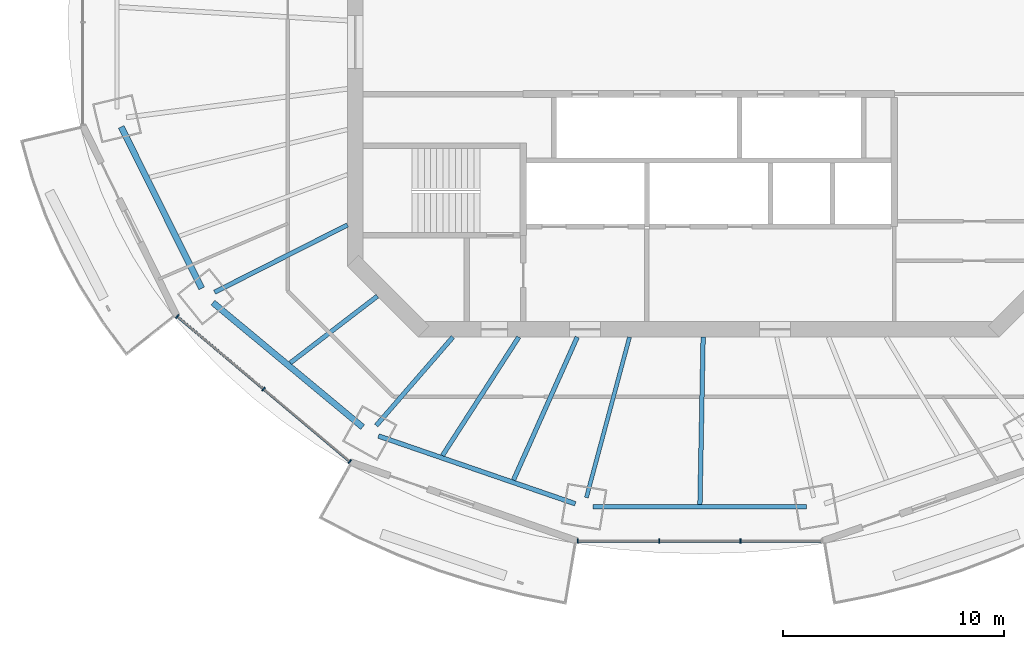
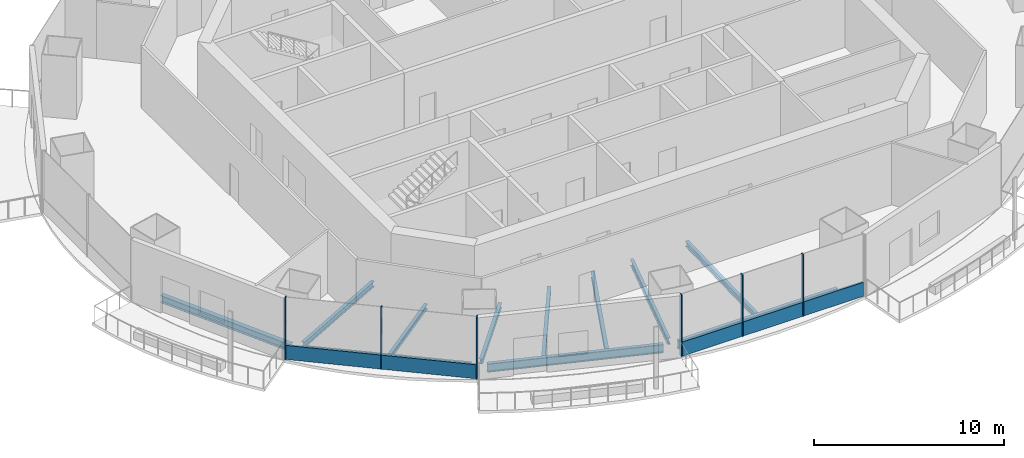
# One storey, part 2 of 16: 11 beams, 8 members, 2 elements without a shape of their own.
"""IFC4 building model written with IfcOpenShell, lengths in metres."""

from ifc_helpers import new_model, si_unit, direction, frame, origin, origin_2d, place, context, subcontext, project, spatial, rectangle, i_section, extrude, material, material_profile, profile_set, type_object, element, aggregate, save


model = new_model("IFC4")

# Units and contexts
model_context = context("Model", 3, precision=1e-05, world=origin(), true_north=direction((0.0, 1.0)))
body_context = subcontext(model_context, "Body", "Model", "MODEL_VIEW")
ifc_project = project(units=[si_unit("LENGTHUNIT", "METRE"), si_unit("AREAUNIT", "SQUARE_METRE"), si_unit("VOLUMEUNIT", "CUBIC_METRE"), si_unit("PLANEANGLEUNIT", "RADIAN"), si_unit("MASSUNIT", "GRAM", prefix="KILO")], contexts=[model_context])

# Site, building, storey
site_placement = place(None, origin())
site = spatial("IfcSite", under=ifc_project, at=site_placement, CompositionType="ELEMENT")
building_placement = place(site_placement, origin())
building = spatial("IfcBuilding", under=site, at=building_placement, Name="Marenthal Gate Tower", CompositionType="ELEMENT")
storey_placement = place(building_placement, frame((0.0, 0.0, 301.10009765625)))
storey = spatial("IfcBuildingStorey", under=building, at=storey_placement, Name="L67", CompositionType="ELEMENT", Elevation=301.10009765625)

# Curtain wall, members
ifc_material_1 = material(Name="Aluminium and glass", Category="aluminium")
curtain_wall_type = type_object("IfcCurtainWallType", Name="Curtain wall typical high", PredefinedType="NOTDEFINED", material=ifc_material_1)
curtain_wall_1_placement = place(storey_placement, origin())
curtain_wall_1 = element("IfcCurtainWall", 1, at=curtain_wall_1_placement, inside=storey, type_object=curtain_wall_type, Name="Curtain wall L67 bay 10", PredefinedType="NOTDEFINED")
ifc_material_2 = material(Name="Aluminium", Category="aluminium")
ifc_material_profile_1 = material_profile(ifc_material_2, rectangle(XDim=0.199951171875, YDim=0.06005859375, at=origin_2d()), Name="60x200 aluminium mullion")
ifc_profile_set_1 = profile_set([ifc_material_profile_1], Name="Aluminium")
member_type_1 = type_object("IfcMemberType", Name="Mullion 60x200 typical high", PredefinedType="MULLION", material=ifc_profile_set_1)
member_1_placement = place(storey_placement, frame((-24.053955078125, -12.41845703125, 0.0), z_axis=(0.0, 0.0, 1.0), x_axis=(0.643479945432, 0.765462970905, 0.0)))
member_1 = element("IfcMember", 2, at=member_1_placement, type_object=member_type_1, Name="Mullion L67 bay 10.1", PredefinedType="MULLION", context=body_context, shape_type="SweptSolid", body=[
    extrude(rectangle(XDim=0.199951171875, YDim=0.06005859375, at=origin_2d()), origin(), (0.0, 0.0, 1.0), 3.969970703125),
])
member_2_placement = place(storey_placement, frame((-20.148681640625, -15.701416015625, 0.0), z_axis=(0.0, 0.0, 1.0), x_axis=(0.643479945432, 0.765462970905, 0.0)))
member_2 = element("IfcMember", 3, at=member_2_placement, type_object=member_type_1, Name="Mullion L67 bay 10.2", PredefinedType="MULLION", context=body_context, shape_type="SweptSolid", body=[
    extrude(rectangle(XDim=0.199951171875, YDim=0.06005859375, at=origin_2d()), origin(), (0.0, 0.0, 1.0), 3.969970703125),
])
member_3_placement = place(storey_placement, frame((-16.243408203125, -18.984375, 0.0), z_axis=(0.0, 0.0, 1.0), x_axis=(0.643479945432, 0.765462970905, 0.0)))
member_3 = element("IfcMember", 4, at=member_3_placement, type_object=member_type_1, Name="Mullion L67 bay 10.3", PredefinedType="MULLION", context=body_context, shape_type="SweptSolid", body=[
    extrude(rectangle(XDim=0.199951171875, YDim=0.06005859375, at=origin_2d()), origin(), (0.0, 0.0, 1.0), 3.969970703125),
])

curtain_wall_2_placement = place(storey_placement, origin())
curtain_wall_2 = element("IfcCurtainWall", 5, at=curtain_wall_2_placement, inside=storey, type_object=curtain_wall_type, Name="Curtain wall L67 bay 12", PredefinedType="NOTDEFINED")
member_4_placement = place(storey_placement, frame((-5.92529296875, -22.577880859375, 0.0), z_axis=(0.0, 0.0, 1.0), x_axis=(0.0, 1.0, 0.0)))
member_4 = element("IfcMember", 6, at=member_4_placement, type_object=member_type_1, Name="Mullion L67 bay 12.1", PredefinedType="MULLION", context=body_context, shape_type="SweptSolid", body=[
    extrude(rectangle(XDim=0.199951171875, YDim=0.06005859375, at=origin_2d()), origin(), (0.0, 0.0, 1.0), 3.969970703125),
])
member_5_placement = place(storey_placement, frame((-2.24169921875, -22.577880859375, 0.0), z_axis=(0.0, 0.0, 1.0), x_axis=(0.0, 1.0, 0.0)))
member_5 = element("IfcMember", 7, at=member_5_placement, type_object=member_type_1, Name="Mullion L67 bay 12.2", PredefinedType="MULLION", context=body_context, shape_type="SweptSolid", body=[
    extrude(rectangle(XDim=0.199951171875, YDim=0.06005859375, at=origin_2d()), origin(), (0.0, 0.0, 1.0), 3.969970703125),
])
member_6_placement = place(storey_placement, frame((1.44189453125, -22.577880859375, 0.0), z_axis=(0.0, 0.0, 1.0), x_axis=(0.0, 1.0, 0.0)))
member_6 = element("IfcMember", 8, at=member_6_placement, type_object=member_type_1, Name="Mullion L67 bay 12.3", PredefinedType="MULLION", context=body_context, shape_type="SweptSolid", body=[
    extrude(rectangle(XDim=0.199951171875, YDim=0.06005859375, at=origin_2d()), origin(), (0.0, 0.0, 1.0), 3.969970703125),
])

# Member
ifc_material_3 = material(Name="Aluminium", Category="aluminium")
ifc_material_profile_2 = material_profile(ifc_material_3, rectangle(XDim=0.1201171875, YDim=0.89990234375, at=origin_2d()), Name="120x900 aluminium transom")
ifc_profile_set_2 = profile_set([ifc_material_profile_2], Name="Aluminium")
member_type_2 = type_object("IfcMemberType", Name="Transom 120x900 typical high", PredefinedType="USERDEFINED", material=ifc_profile_set_2)
member_7_placement = place(storey_placement, frame((-24.031005859375, -12.437744140625, 0.449951171875), z_axis=(0.765460155219, -0.643483294866, 0.0), x_axis=(0.643483294866, 0.765460155219, 0.0)))
member_7 = element("IfcMember", 9, at=member_7_placement, type_object=member_type_2, Name="Transom L67 bay 10", ObjectType="TRANSOM", PredefinedType="USERDEFINED", context=body_context, shape_type="SweptSolid", body=[
    extrude(rectangle(XDim=0.1201171875, YDim=0.89990234375, at=origin_2d()), origin(), (0.0, 0.0, 1.0), 10.143798828125),
])

aggregate(curtain_wall_1, [member_1, member_2, member_3, member_7])

member_8_placement = place(storey_placement, frame((-5.8955078125, -22.577880859375, 0.449951171875), z_axis=(1.0, 0.0, 0.0), x_axis=(0.0, 1.0, 0.0)))
member_8 = element("IfcMember", 10, at=member_8_placement, type_object=member_type_2, Name="Transom L67 bay 12", ObjectType="TRANSOM", PredefinedType="USERDEFINED", context=body_context, shape_type="SweptSolid", body=[
    extrude(rectangle(XDim=0.1201171875, YDim=0.89990234375, at=origin_2d()), origin(), (0.0, 0.0, 1.0), 10.990966796875),
])

aggregate(curtain_wall_2, [member_4, member_5, member_6, member_8])

# Beams
ifc_material_4 = material(Name="Steel S355", Category="steel")
ifc_material_profile_3 = material_profile(ifc_material_4, i_section(OverallWidth=0.202880859375, OverallDepth=0.302001953125, WebThickness=0.007568359375, FlangeThickness=0.01318359375, FilletRadius=0.0126953125, at=origin_2d()), Name="W310X60")
ifc_profile_set_3 = profile_set([ifc_material_profile_3], Name="Steel S355")
beam_type_1 = type_object("IfcBeamType", Name="W310X60 beam", PredefinedType="BEAM", material=ifc_profile_set_3)
beam_1_placement = place(storey_placement, frame((-18.939453125, -14.518798828125, -0.3310546875), z_axis=(0.793649875285, 0.608374782071, 0.0), x_axis=(-0.608374782071, 0.793649875285, 0.0)))
element("IfcBeam", 11, at=beam_1_placement, inside=storey, type_object=beam_type_1, Name="BM-L67-31", PredefinedType="BEAM", context=body_context, shape_type="SweptSolid", body=[
    extrude(i_section(OverallWidth=0.202880859375, OverallDepth=0.302001953125, WebThickness=0.007568359375, FlangeThickness=0.01318359375, FilletRadius=0.0126953125, at=origin_2d()), origin(), (0.0, 0.0, 1.0), 4.966552734375),
])
ifc_material_5 = material(Name="Steel S355", Category="steel")
ifc_material_profile_4 = material_profile(ifc_material_5, i_section(OverallWidth=0.205078125, OverallDepth=0.31005859375, WebThickness=0.009521484375, FlangeThickness=0.016357421875, FilletRadius=0.0126953125, at=origin_2d()), Name="W310X74")
ifc_profile_set_4 = profile_set([ifc_material_profile_4], Name="Steel S355")
beam_type_2 = type_object("IfcBeamType", Name="W310X74 beam", PredefinedType="BEAM", material=ifc_profile_set_4)
beam_2_placement = place(storey_placement, frame((-15.05078125, -17.353515625, -0.335205078125), z_axis=(0.655204107761, 0.75545190262, 0.0), x_axis=(-0.75545190262, 0.655204107761, 0.0)))
element("IfcBeam", 12, at=beam_2_placement, inside=storey, type_object=beam_type_2, Name="BM-L67-11", PredefinedType="BEAM", context=body_context, shape_type="SweptSolid", body=[
    extrude(i_section(OverallWidth=0.205078125, OverallDepth=0.31005859375, WebThickness=0.009521484375, FlangeThickness=0.016357421875, FilletRadius=0.0126953125, at=origin_2d()), origin(), (0.0, 0.0, 1.0), 5.29931640625),
])
beam_3_placement = place(storey_placement, frame((-12.0517578125, -18.711181640625, -0.335205078125), z_axis=(0.541502346344, 0.840699238077, 0.0), x_axis=(-0.840699238077, 0.541502346344, 0.0)))
element("IfcBeam", 13, at=beam_3_placement, inside=storey, type_object=beam_type_2, Name="BM-L67-32", PredefinedType="BEAM", context=body_context, shape_type="SweptSolid", body=[
    extrude(i_section(OverallWidth=0.205078125, OverallDepth=0.31005859375, WebThickness=0.009521484375, FlangeThickness=0.016357421875, FilletRadius=0.0126953125, at=origin_2d()), origin(), (0.0, 0.0, 1.0), 6.376953125),
])
ifc_material_6 = material(Name="Steel S355", Category="steel")
ifc_material_profile_5 = material_profile(ifc_material_6, i_section(OverallWidth=0.205078125, OverallDepth=0.35302734375, WebThickness=0.009521484375, FlangeThickness=0.016845703125, FilletRadius=0.014892578125, at=origin_2d()), Name="W360X79")
ifc_profile_set_5 = profile_set([ifc_material_profile_5], Name="Steel S355")
beam_type_3 = type_object("IfcBeamType", Name="W360X79 beam", PredefinedType="BEAM", material=ifc_profile_set_5)
beam_4_placement = place(storey_placement, frame((-22.36572265625, -11.3203125, -0.356689453125), z_axis=(0.892214783976, 0.451611314357, 0.0), x_axis=(-0.451611314357, 0.892214783976, 0.0)))
element("IfcBeam", 14, at=beam_4_placement, inside=storey, type_object=beam_type_3, Name="BM-L67-10", PredefinedType="BEAM", context=body_context, shape_type="SweptSolid", body=[
    extrude(i_section(OverallWidth=0.205078125, OverallDepth=0.35302734375, WebThickness=0.009521484375, FlangeThickness=0.016845703125, FilletRadius=0.014892578125, at=origin_2d()), origin(), (0.0, 0.0, 1.0), 6.742431640625),
])
beam_5_placement = place(storey_placement, frame((-8.835693359375, -19.818359375, -0.356689453125), z_axis=(0.407200115521, 0.91333896551, 0.0), x_axis=(-0.91333896551, 0.407200115521, 0.0)))
element("IfcBeam", 15, at=beam_5_placement, inside=storey, type_object=beam_type_3, Name="BM-L67-33", PredefinedType="BEAM", context=body_context, shape_type="SweptSolid", body=[
    extrude(i_section(OverallWidth=0.205078125, OverallDepth=0.35302734375, WebThickness=0.009521484375, FlangeThickness=0.016845703125, FilletRadius=0.014892578125, at=origin_2d()), origin(), (0.0, 0.0, 1.0), 7.08203125),
])
beam_6_placement = place(storey_placement, frame((-0.39794921875, -20.92236328125, -0.356689453125), z_axis=(0.019018999299, 0.999819122474, 0.0), x_axis=(-0.999819122474, 0.019018999299, 0.0)))
element("IfcBeam", 16, at=beam_6_placement, inside=storey, type_object=beam_type_3, Name="BM-L67-34", PredefinedType="BEAM", context=body_context, shape_type="SweptSolid", body=[
    extrude(i_section(OverallWidth=0.205078125, OverallDepth=0.35302734375, WebThickness=0.009521484375, FlangeThickness=0.016845703125, FilletRadius=0.014892578125, at=origin_2d()), origin(), (0.0, 0.0, 1.0), 7.57373046875),
])
ifc_material_7 = material(Name="Steel S355", Category="steel")
ifc_material_profile_6 = material_profile(ifc_material_7, i_section(OverallWidth=0.180908203125, OverallDepth=0.4169921875, WebThickness=0.010986328125, FlangeThickness=0.018310546875, FilletRadius=0.01025390625, at=origin_2d()), Name="W410X85")
ifc_profile_set_6 = profile_set([ifc_material_profile_6], Name="Steel S355")
beam_type_4 = type_object("IfcBeamType", Name="W410X85 beam", PredefinedType="BEAM", material=ifc_profile_set_6)
beam_7_placement = place(storey_placement, frame((-5.53564453125, -20.613525390625, -0.388671875), z_axis=(0.259341276108, 0.965785743582, 0.0), x_axis=(-0.965785743582, 0.259341276108, 0.0)))
element("IfcBeam", 17, at=beam_7_placement, inside=storey, type_object=beam_type_4, Name="BM-L67-12", PredefinedType="BEAM", context=body_context, shape_type="SweptSolid", body=[
    extrude(i_section(OverallWidth=0.180908203125, OverallDepth=0.4169921875, WebThickness=0.010986328125, FlangeThickness=0.018310546875, FilletRadius=0.01025390625, at=origin_2d()), origin(), (0.0, 0.0, 1.0), 7.520751953125),
])
ifc_material_8 = material(Name="Steel S355", Category="steel")
ifc_material_profile_7 = material_profile(ifc_material_8, i_section(OverallWidth=0.279052734375, OverallDepth=0.4619140625, WebThickness=0.0107421875, FlangeThickness=0.017333984375, FilletRadius=0.010009765625, at=origin_2d()), Name="W460X113")
ifc_profile_set_7 = profile_set([ifc_material_profile_7], Name="Steel S355")
beam_type_5 = type_object("IfcBeamType", Name="W460X113 beam", PredefinedType="BEAM", material=ifc_profile_set_7)
beam_8_placement = place(storey_placement, frame((-26.590087890625, -3.841064453125, -0.4111328125), z_axis=(0.44599242953, -0.895036732655, 0.0), x_axis=(0.895036732655, 0.44599242953, 0.0)))
element("IfcBeam", 18, at=beam_8_placement, inside=storey, type_object=beam_type_5, Name="BM-L67-49", PredefinedType="BEAM", context=body_context, shape_type="SweptSolid", body=[
    extrude(i_section(OverallWidth=0.279052734375, OverallDepth=0.4619140625, WebThickness=0.0107421875, FlangeThickness=0.017333984375, FilletRadius=0.010009765625, at=origin_2d()), origin(), (0.0, 0.0, 1.0), 8.15966796875),
])
beam_9_placement = place(storey_placement, frame((-22.44140625, -11.788818359375, -0.4111328125), z_axis=(0.768999341682, -0.639249569802, 0.0), x_axis=(0.639249569802, 0.768999341682, 0.0)))
element("IfcBeam", 19, at=beam_9_placement, inside=storey, type_object=beam_type_5, Name="BM-L67-50", PredefinedType="BEAM", context=body_context, shape_type="SweptSolid", body=[
    extrude(i_section(OverallWidth=0.279052734375, OverallDepth=0.4619140625, WebThickness=0.0107421875, FlangeThickness=0.017333984375, FilletRadius=0.010009765625, at=origin_2d()), origin(), (0.0, 0.0, 1.0), 8.8154296875),
])
ifc_material_9 = material(Name="Steel S355", Category="steel")
ifc_material_profile_8 = material_profile(ifc_material_9, i_section(OverallWidth=0.2119140625, OverallDepth=0.5439453125, WebThickness=0.01318359375, FlangeThickness=0.021240234375, FilletRadius=0.0126953125, at=origin_2d()), Name="W530X123")
ifc_profile_set_8 = profile_set([ifc_material_profile_8], Name="Steel S355")
beam_type_6 = type_object("IfcBeamType", Name="W530X123 beam", PredefinedType="BEAM", material=ifc_profile_set_8)
beam_10_placement = place(storey_placement, frame((-14.951171875, -17.82470703125, -0.4521484375), z_axis=(0.945516546664, -0.325574046853, 0.0), x_axis=(0.325574046853, 0.945516546664, 0.0)))
element("IfcBeam", 20, at=beam_10_placement, inside=storey, type_object=beam_type_6, Name="BM-L67-51", PredefinedType="BEAM", context=body_context, shape_type="SweptSolid", body=[
    extrude(i_section(OverallWidth=0.2119140625, OverallDepth=0.5439453125, WebThickness=0.01318359375, FlangeThickness=0.021240234375, FilletRadius=0.0126953125, at=origin_2d()), origin(), (0.0, 0.0, 1.0), 9.427490234375),
])
beam_11_placement = place(storey_placement, frame((-5.23486328125, -21.0283203125, -0.4521484375), z_axis=(1.0, 0.0, 0.0), x_axis=(0.0, 1.0, 0.0)))
element("IfcBeam", 21, at=beam_11_placement, inside=storey, type_object=beam_type_6, Name="BM-L67-52", PredefinedType="BEAM", context=body_context, shape_type="SweptSolid", body=[
    extrude(i_section(OverallWidth=0.2119140625, OverallDepth=0.5439453125, WebThickness=0.01318359375, FlangeThickness=0.021240234375, FilletRadius=0.0126953125, at=origin_2d()), origin(), (0.0, 0.0, 1.0), 9.669677734375),
])

save(model, "model.ifc")
